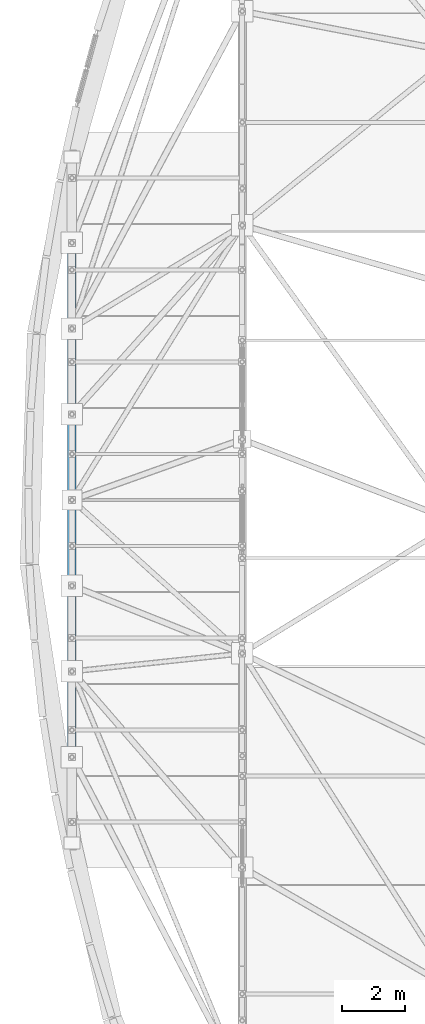
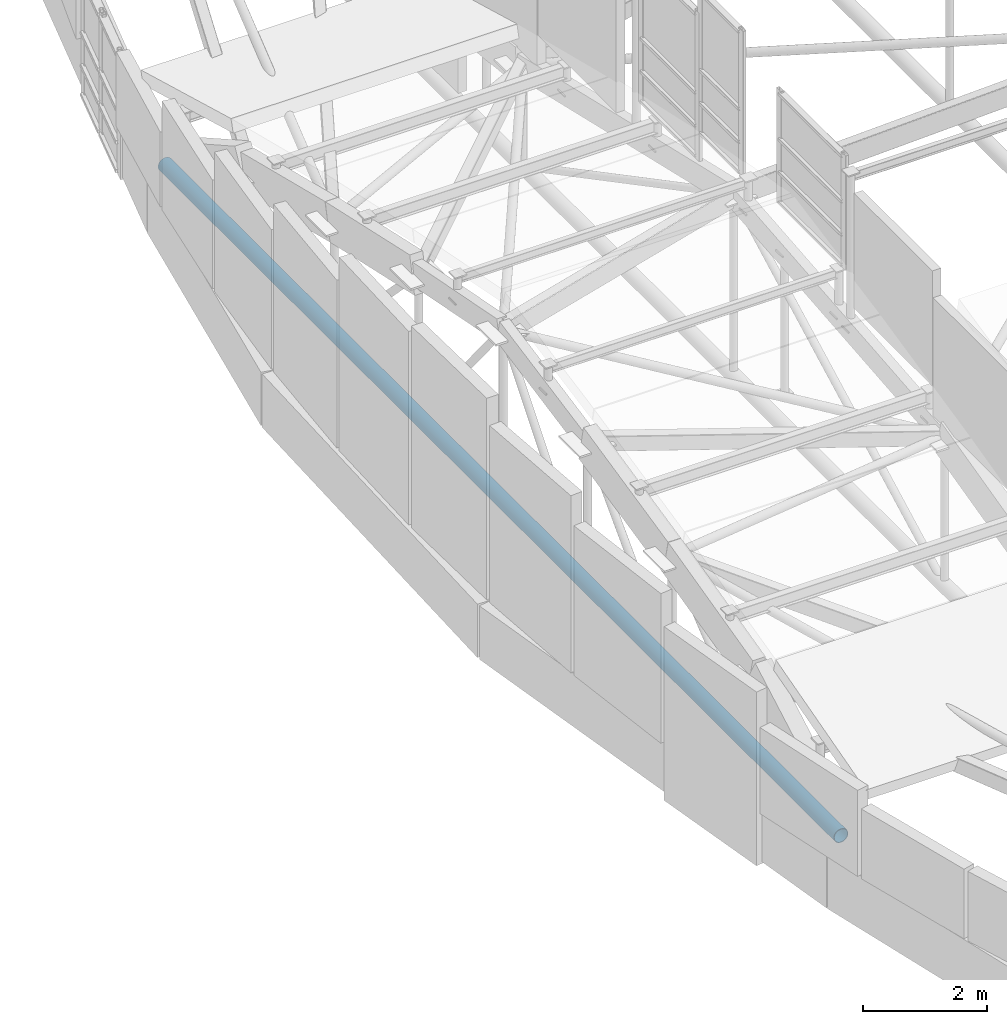
# One storey, part 37 of 188: 1 member.
"""IFC4 building model written with IfcOpenShell, lengths in metres."""

from ifc_helpers import new_model, si_unit, direction, frame, origin, origin_2d, place, context, subcontext, project, spatial, hollow_circle, extrude, material, material_profile, profile_set, type_object, element, save


model = new_model("IFC4")

# Units and contexts
model_context = context("Model", 3, precision=1e-05, world=origin(), true_north=direction((0.0, 1.0)))
body_context = subcontext(model_context, "Body", "Model", "MODEL_VIEW")
ifc_project = project(units=[si_unit("LENGTHUNIT", "METRE"), si_unit("AREAUNIT", "SQUARE_METRE"), si_unit("VOLUMEUNIT", "CUBIC_METRE"), si_unit("PLANEANGLEUNIT", "RADIAN"), si_unit("MASSUNIT", "GRAM", prefix="KILO")], contexts=[model_context])

# Site, building, storey
site_placement = place(None, origin())
site = spatial("IfcSite", under=ifc_project, at=site_placement, CompositionType="ELEMENT")
building_placement = place(site_placement, origin())
building = spatial("IfcBuilding", under=site, at=building_placement, Name="Kisaragi Civic Commons", CompositionType="ELEMENT")
storey_placement = place(building_placement, frame((0.0, 0.0, 9.60009765625)))
storey = spatial("IfcBuildingStorey", under=building, at=storey_placement, Name="L02", CompositionType="ELEMENT", Elevation=9.60009765625)

# Member
ifc_material = material(Name="Steel SN490 (SN490B)", Category="steel")
ifc_material_profile = material_profile(ifc_material, hollow_circle(Radius=0.1337890625, WallThickness=0.009033203125, at=origin_2d()), Name="CHS-267.4x9.0", Category="steel")
ifc_profile_set = profile_set([ifc_material_profile], Name="Steel SN490 (SN490B)")
member_type = type_object("IfcMemberType", Name="ST-T1", PredefinedType="STRUT", material=ifc_profile_set)
member_placement = place(storey_placement, frame((1.39990234375, 22.4384765625, -0.080078125), z_axis=(0.0, 1.0, 0.0), x_axis=(-1.0, 0.0, 0.0)))
element("IfcMember", 1, at=member_placement, inside=storey, type_object=member_type, Name="V1 arch tension tie ST-T1 1", PredefinedType="STRUT", context=body_context, shape_type="SweptSolid", body=[
    extrude(hollow_circle(Radius=0.1337890625, WallThickness=0.009033203125, at=origin_2d()), origin(), (0.0, 0.0, 1.0), 21.75390625),
])

save(model, "model.ifc")
